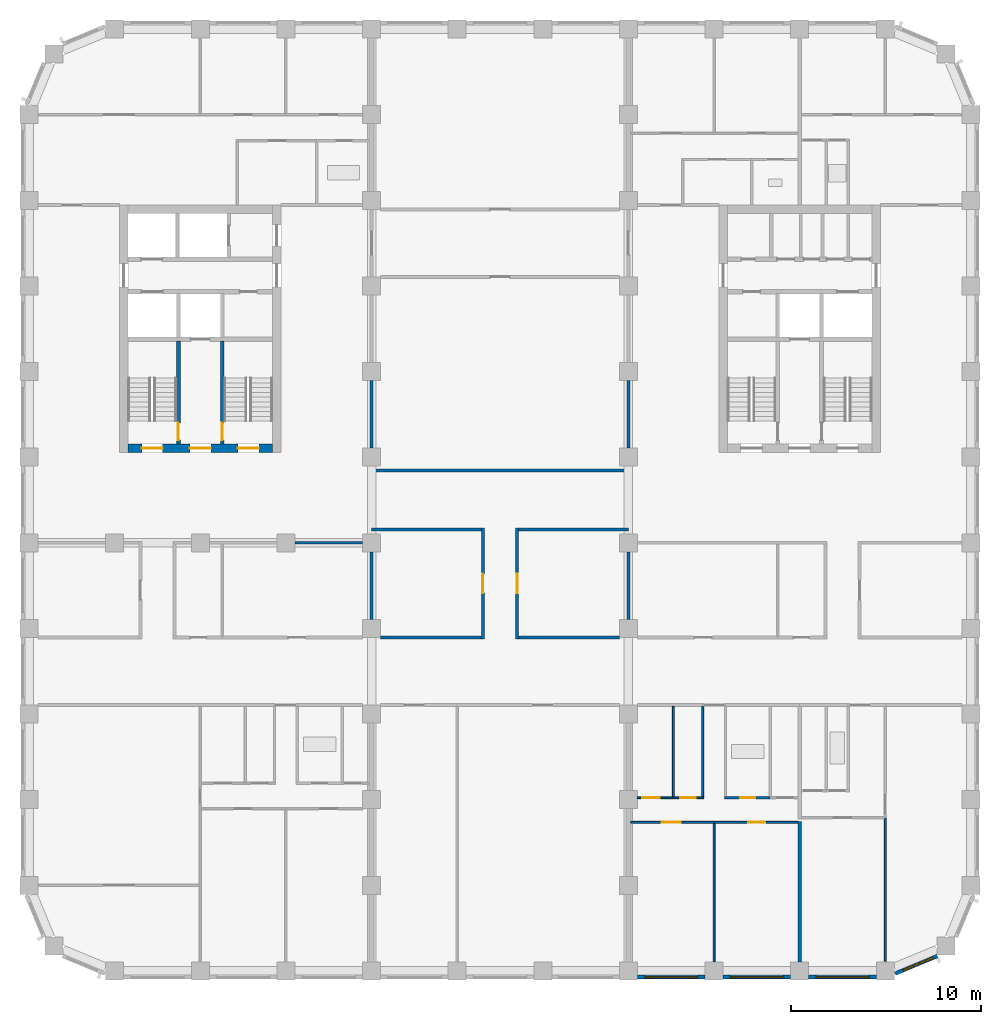
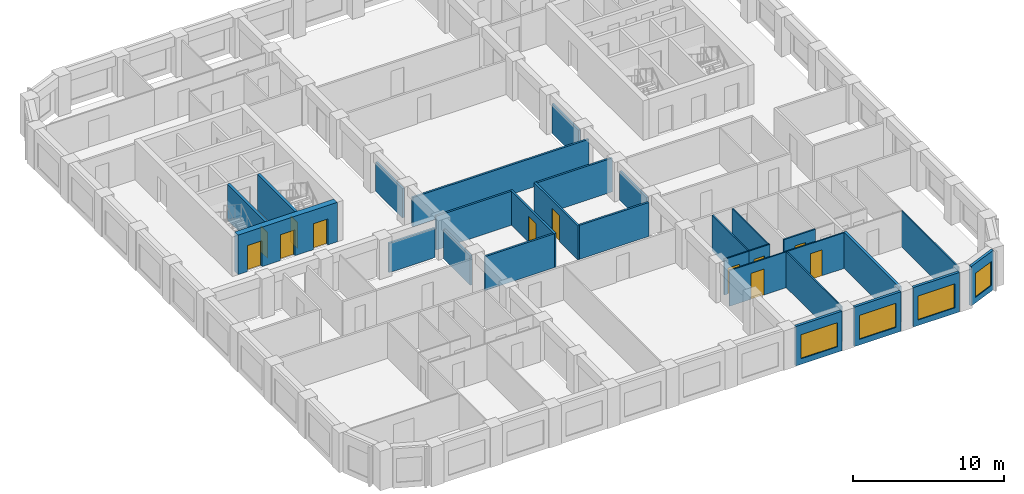
# One storey, part 4 of 12: 29 walls, 12 doors, 4 windows, 16 openings.
"""IFC4 building model written with IfcOpenShell, lengths in metres."""

from ifc_helpers import new_model, si_unit, direction, frame, frame_2d, origin, place, context, subcontext, project, spatial, rectangle, extrude, material, layer, layer_set, type_object, element, fill, save


model = new_model("IFC4")

# Units and contexts
model_context = context("Model", 3, precision=1e-05, world=origin(), true_north=direction((0.0, 1.0)))
body_context = subcontext(model_context, "Body", "Model", "MODEL_VIEW")
ifc_project = project(units=[si_unit("LENGTHUNIT", "METRE"), si_unit("AREAUNIT", "SQUARE_METRE"), si_unit("VOLUMEUNIT", "CUBIC_METRE"), si_unit("PLANEANGLEUNIT", "RADIAN"), si_unit("MASSUNIT", "GRAM", prefix="KILO")], contexts=[model_context])

# Site, building, storey
site_placement = place(None, origin())
site = spatial("IfcSite", under=ifc_project, at=site_placement, CompositionType="ELEMENT")
building_placement = place(site_placement, origin())
building = spatial("IfcBuilding", under=site, at=building_placement, Name="Girih Gate Residences", CompositionType="ELEMENT")
storey_placement = place(building_placement, frame((0.0, 0.0, 143.0)))
storey = spatial("IfcBuildingStorey", under=building, at=storey_placement, Name="L40", CompositionType="ELEMENT", Elevation=143.0)

# Wall, opening, door
ifc_material_1 = material(Name="Gypsum board on steel studs", Category="steel")
ifc_layer_1 = layer(ifc_material_1, 0.14990234375)
ifc_layer_set_1 = layer_set([ifc_layer_1], Name="Compartment wall 150 mm")
wall_type_1 = type_object("IfcWallType", Name="Compartment wall 150 mm", PredefinedType="PARTITIONING", material=ifc_layer_set_1)
wall_1_placement = place(storey_placement, frame((23.85009765625, 17.449951171875, 0.0), z_axis=(0.0, 0.0, 1.0), x_axis=(0.0, 1.0, 0.0)))
wall_1 = element("IfcWall", 1, at=wall_1_placement, inside=storey, type_object=wall_type_1, Name="L40 partition", PredefinedType="PARTITIONING", context=body_context, shape_type="SweptSolid", body=[
    extrude(rectangle(XDim=5.824951171875, YDim=0.14990234375, at=frame_2d((2.91259765625, 0.0))), origin(), (0.0, 0.0, 1.0), 2.75),
])
opening_1_placement = place(wall_1_placement, frame((2.41259765625, 0.0, 0.0)))
opening_1 = element("IfcOpeningElement", 2, at=opening_1_placement, cuts=wall_1, Name="Opening A40-044", PredefinedType="OPENING", context=body_context, shape_type="SweptSolid", body=[
    extrude(rectangle(XDim=1.0, YDim=2.10009765625, at=frame_2d((0.5, 1.050048828125))), frame((0.0, 0.0849609375, 0.0), z_axis=(0.0, -1.0, 0.0), x_axis=(1.0, 0.0, 0.0)), (0.0, 0.0, 1.0), 0.169921875),
])
ifc_material_2 = material(Name="Timber, fire-rated core", Category="wood")
door_type_1 = type_object("IfcDoorType", Name="Amenity room door 1000x2100 FD30S", OperationType="NOTDEFINED", PredefinedType="DOOR", material=ifc_material_2)
door_1_placement = place(opening_1_placement, origin())
door_1 = element("IfcDoor", 3, at=door_1_placement, inside=storey, type_object=door_type_1, Name="Door A40-044", OperationType="SINGLE_SWING_LEFT", OverallHeight=2.10009765625, OverallWidth=1.0, PredefinedType="DOOR", context=body_context, shape_type="SweptSolid", body=[
    extrude(rectangle(XDim=1.0, YDim=2.10009765625, at=frame_2d((0.5, 1.050048828125))), frame((0.0, 0.02490234375, 0.0), z_axis=(0.0, -1.0, 0.0), x_axis=(1.0, 0.0, 0.0)), (0.0, 0.0, 1.0), 0.050048828125),
])
fill(opening_1, door_1)

wall_2_placement = place(storey_placement, frame((25.64990234375, 23.27490234375, 0.0), z_axis=(0.0, 0.0, 1.0), x_axis=(0.0, -1.0, 0.0)))
wall_2 = element("IfcWall", 4, at=wall_2_placement, inside=storey, type_object=wall_type_1, Name="L40 partition", PredefinedType="PARTITIONING", context=body_context, shape_type="SweptSolid", body=[
    extrude(rectangle(XDim=5.824951171875, YDim=0.14990234375, at=frame_2d((2.91259765625, 0.0))), origin(), (0.0, 0.0, 1.0), 2.75),
])
opening_2_placement = place(wall_2_placement, frame((2.41259765625, 0.0, 0.0)))
opening_2 = element("IfcOpeningElement", 5, at=opening_2_placement, cuts=wall_2, Name="Opening A40-045", PredefinedType="OPENING", context=body_context, shape_type="SweptSolid", body=[
    extrude(rectangle(XDim=1.0, YDim=2.10009765625, at=frame_2d((0.5, 1.050048828125))), frame((0.0, 0.0849609375, 0.0), z_axis=(0.0, -1.0, 0.0), x_axis=(1.0, 0.0, 0.0)), (0.0, 0.0, 1.0), 0.169921875),
])
door_2_placement = place(opening_2_placement, origin())
door_2 = element("IfcDoor", 6, at=door_2_placement, inside=storey, type_object=door_type_1, Name="Door A40-045", OperationType="SINGLE_SWING_RIGHT", OverallHeight=2.10009765625, OverallWidth=1.0, PredefinedType="DOOR", context=body_context, shape_type="SweptSolid", body=[
    extrude(rectangle(XDim=1.0, YDim=2.10009765625, at=frame_2d((0.5, 1.050048828125))), frame((0.0, 0.02490234375, 0.0), z_axis=(0.0, -1.0, 0.0), x_axis=(1.0, 0.0, 0.0)), (0.0, 0.0, 1.0), 0.050048828125),
])
fill(opening_2, door_2)

# Walls
for number, where, z_axis, x_axis, name in (
    (7, (18.47509765625, 17.52490234375, 0.0), (0.0, 0.0, 1.0), (1.0, 0.0, 0.0), "L40 partition"),
    (8, (25.72509765625, 17.52490234375, 0.0), (0.0, 0.0, 1.0), (1.0, 0.0, 0.0), "L40 partition"),
):
    element("IfcWall", number, at=place(storey_placement, frame(where, z_axis=z_axis, x_axis=x_axis)), inside=storey, type_object=wall_type_1, Name=name, PredefinedType="PARTITIONING", context=body_context, shape_type="SweptSolid", body=[
        extrude(rectangle(XDim=5.2998046875, YDim=0.14990234375, at=frame_2d((2.64990234375, 0.0))), origin(), (0.0, 0.0, 1.0), 2.75),
    ])
for number, where, z_axis, x_axis, name in (
    (9, (31.5, 27.47509765625, 0.0), (0.0, 0.0, 1.0), (0.0, 1.0, 0.0), "L40 partition"),
    (10, (18.0, 27.47509765625, 0.0), (0.0, 0.0, 1.0), (0.0, 1.0, 0.0), "L40 partition"),
):
    element("IfcWall", number, at=place(storey_placement, frame(where, z_axis=z_axis, x_axis=x_axis)), inside=storey, type_object=wall_type_1, Name=name, PredefinedType="PARTITIONING", context=body_context, shape_type="SweptSolid", body=[
        extrude(rectangle(XDim=3.5498046875, YDim=0.14990234375, at=frame_2d((1.77490234375, 0.0))), origin(), (0.0, 0.0, 1.0), 2.3798828125),
    ])
wall_3_placement = place(storey_placement, frame((18.0, 26.300048828125, 0.0), z_axis=(0.0, 0.0, 1.0), x_axis=(1.0, 0.0, 0.0)))
element("IfcWall", 11, at=wall_3_placement, inside=storey, type_object=wall_type_1, Name="L40 partition", PredefinedType="PARTITIONING", context=body_context, shape_type="SweptSolid", body=[
    extrude(rectangle(XDim=13.5, YDim=0.14990234375, at=frame_2d((6.75, 0.0))), origin(), (0.0, 0.0, 1.0), 2.3798828125),
])
wall_4_placement = place(storey_placement, frame((18.0, 23.199951171875, 0.0), z_axis=(0.0, 0.0, 1.0), x_axis=(1.0, 0.0, 0.0)))
element("IfcWall", 12, at=wall_4_placement, inside=storey, type_object=wall_type_1, Name="L40 partition", PredefinedType="PARTITIONING", context=body_context, shape_type="SweptSolid", body=[
    extrude(rectangle(XDim=5.77490234375, YDim=0.14990234375, at=frame_2d((2.887451171875, 0.0))), origin(), (0.0, 0.0, 1.0), 2.75),
])
wall_5_placement = place(storey_placement, frame((18.0, 18.47509765625, 0.0), z_axis=(0.0, 0.0, 1.0), x_axis=(0.0, 1.0, 0.0)))
element("IfcWall", 13, at=wall_5_placement, inside=storey, type_object=wall_type_1, Name="L40 partition", PredefinedType="PARTITIONING", context=body_context, shape_type="SweptSolid", body=[
    extrude(rectangle(XDim=3.5498046875, YDim=0.14990234375, at=frame_2d((1.77490234375, 0.0))), origin(), (0.0, 0.0, 1.0), 2.3798828125),
])
wall_6_placement = place(storey_placement, frame((25.72509765625, 23.199951171875, 0.0), z_axis=(0.0, 0.0, 1.0), x_axis=(1.0, 0.0, 0.0)))
element("IfcWall", 14, at=wall_6_placement, inside=storey, type_object=wall_type_1, Name="L40 partition", PredefinedType="PARTITIONING", context=body_context, shape_type="SweptSolid", body=[
    extrude(rectangle(XDim=5.77490234375, YDim=0.14990234375, at=frame_2d((2.887451171875, 0.0))), origin(), (0.0, 0.0, 1.0), 2.75),
])
for number, where, z_axis, x_axis, name in (
    (15, (31.5, 18.47509765625, 0.0), (0.0, 0.0, 1.0), (0.0, 1.0, 0.0), "L40 partition"),
    (16, (13.97509765625, 22.5, 0.0), (0.0, 0.0, 1.0), (1.0, 0.0, 0.0), "L40 partition"),
):
    element("IfcWall", number, at=place(storey_placement, frame(where, z_axis=z_axis, x_axis=x_axis)), inside=storey, type_object=wall_type_1, Name=name, PredefinedType="PARTITIONING", context=body_context, shape_type="SweptSolid", body=[
        extrude(rectangle(XDim=3.5498046875, YDim=0.14990234375, at=frame_2d((1.77490234375, 0.0))), origin(), (0.0, 0.0, 1.0), 2.3798828125),
    ])

# Wall, openings, doors
ifc_material_3 = material(Name="Concrete C60/75", Category="concrete")
ifc_layer_2 = layer(ifc_material_3, 0.449951171875)
ifc_layer_set_2 = layer_set([ifc_layer_2], Name="Core wall RC 450 Concrete C60/75")
wall_type_2 = type_object("IfcWallType", Name="Core wall RC 450 Concrete C60/75", PredefinedType="SOLIDWALL", material=ifc_layer_set_2)
wall_7_placement = place(storey_placement, frame((5.199951171875, 27.47509765625, 0.0), z_axis=(0.0, 0.0, 1.0), x_axis=(1.0, 0.0, 0.0)))
wall_7 = element("IfcWall", 17, at=wall_7_placement, inside=storey, type_object=wall_type_2, Name="Core wall W-S L40", PredefinedType="SOLIDWALL", context=body_context, shape_type="SweptSolid", body=[
    extrude(rectangle(XDim=7.60009765625, YDim=0.449951171875, at=frame_2d((3.800048828125, 0.0))), origin(), (0.0, 0.0, 1.0), 3.199951171875),
])
opening_3_placement = place(wall_7_placement, frame((0.72509765625, 0.0, 0.0)))
opening_3 = element("IfcOpeningElement", 18, at=opening_3_placement, cuts=wall_7, Name="Opening D-L40-W-008", PredefinedType="OPENING", context=body_context, shape_type="SweptSolid", body=[
    extrude(rectangle(XDim=1.10009765625, YDim=2.10009765625, at=frame_2d((0.550048828125, 1.050048828125))), frame((0.0, 0.23486328125, 0.0), z_axis=(0.0, -1.0, 0.0), x_axis=(1.0, 0.0, 0.0)), (0.0, 0.0, 1.0), 0.469970703125),
])
opening_4_placement = place(wall_7_placement, frame((3.25, 0.0, 0.0)))
opening_4 = element("IfcOpeningElement", 19, at=opening_4_placement, cuts=wall_7, Name="Opening D-L40-W-009", PredefinedType="OPENING", context=body_context, shape_type="SweptSolid", body=[
    extrude(rectangle(XDim=1.10009765625, YDim=2.10009765625, at=frame_2d((0.550048828125, 1.050048828125))), frame((0.0, 0.23486328125, 0.0), z_axis=(0.0, -1.0, 0.0), x_axis=(1.0, 0.0, 0.0)), (0.0, 0.0, 1.0), 0.469970703125),
])
opening_5_placement = place(wall_7_placement, frame((5.77490234375, 0.0, 0.0)))
opening_5 = element("IfcOpeningElement", 20, at=opening_5_placement, cuts=wall_7, Name="Opening D-L40-W-010", PredefinedType="OPENING", context=body_context, shape_type="SweptSolid", body=[
    extrude(rectangle(XDim=1.10009765625, YDim=2.10009765625, at=frame_2d((0.550048828125, 1.050048828125))), frame((0.0, 0.23486328125, 0.0), z_axis=(0.0, -1.0, 0.0), x_axis=(1.0, 0.0, 0.0)), (0.0, 0.0, 1.0), 0.469970703125),
])
ifc_material_4 = material(Name="Painted steel, fire-resisting", Category="steel")
door_type_2 = type_object("IfcDoorType", Name="Fire door 1100x2100", OperationType="SINGLE_SWING_LEFT", PredefinedType="DOOR", material=ifc_material_4)
door_3_placement = place(opening_3_placement, origin())
door_3 = element("IfcDoor", 21, at=door_3_placement, inside=storey, type_object=door_type_2, Name="L40 W core door sta-out", OperationType="SINGLE_SWING_LEFT", OverallHeight=2.10009765625, OverallWidth=1.10009765625, PredefinedType="DOOR", context=body_context, shape_type="SweptSolid", body=[
    extrude(rectangle(XDim=1.10009765625, YDim=2.10009765625, at=frame_2d((0.550048828125, 1.050048828125))), frame((0.0, 0.02490234375, 0.0), z_axis=(0.0, -1.0, 0.0), x_axis=(1.0, 0.0, 0.0)), (0.0, 0.0, 1.0), 0.050048828125),
])
fill(opening_3, door_3)
door_4_placement = place(opening_4_placement, origin())
door_4 = element("IfcDoor", 22, at=door_4_placement, inside=storey, type_object=door_type_2, Name="L40 W core door ffl-out", OperationType="SINGLE_SWING_LEFT", OverallHeight=2.10009765625, OverallWidth=1.10009765625, PredefinedType="DOOR", context=body_context, shape_type="SweptSolid", body=[
    extrude(rectangle(XDim=1.10009765625, YDim=2.10009765625, at=frame_2d((0.550048828125, 1.050048828125))), frame((0.0, 0.02490234375, 0.0), z_axis=(0.0, -1.0, 0.0), x_axis=(1.0, 0.0, 0.0)), (0.0, 0.0, 1.0), 0.050048828125),
])
fill(opening_4, door_4)
door_5_placement = place(opening_5_placement, origin())
door_5 = element("IfcDoor", 23, at=door_5_placement, inside=storey, type_object=door_type_2, Name="L40 W core door stb-out", OperationType="SINGLE_SWING_LEFT", OverallHeight=2.10009765625, OverallWidth=1.10009765625, PredefinedType="DOOR", context=body_context, shape_type="SweptSolid", body=[
    extrude(rectangle(XDim=1.10009765625, YDim=2.10009765625, at=frame_2d((0.550048828125, 1.050048828125))), frame((0.0, 0.02490234375, 0.0), z_axis=(0.0, -1.0, 0.0), x_axis=(1.0, 0.0, 0.0)), (0.0, 0.0, 1.0), 0.050048828125),
])
fill(opening_5, door_5)

# Wall
ifc_layer_3 = layer(ifc_material_1, 0.10009765625)
ifc_layer_set_3 = layer_set([ifc_layer_3], Name="Partition 100 mm")
wall_type_3 = type_object("IfcWallType", Name="Partition 100 mm", PredefinedType="PARTITIONING", material=ifc_layer_set_3)
wall_8_placement = place(storey_placement, frame((45.0, 0.51416015625, 0.0), z_axis=(0.0, 0.0, 1.0), x_axis=(0.0, 1.0, 0.0)))
element("IfcWall", 24, at=wall_8_placement, inside=storey, type_object=wall_type_3, Name="L40 partition", PredefinedType="PARTITIONING", context=body_context, shape_type="SweptSolid", body=[
    extrude(rectangle(XDim=7.53076171875, YDim=0.10009765625, at=frame_2d((3.765380859375, 0.0))), origin(), (0.0, 0.0, 1.0), 2.89990234375),
])

# Wall, opening, door
wall_9_placement = place(storey_placement, frame((40.39990234375, 7.804931640625, 0.0), z_axis=(0.0, 0.0, 1.0), x_axis=(-1.0, 0.0, 0.0)))
wall_9 = element("IfcWall", 25, at=wall_9_placement, inside=storey, type_object=wall_type_3, Name="L40 partition", PredefinedType="PARTITIONING", context=body_context, shape_type="SweptSolid", body=[
    extrude(rectangle(XDim=4.39990234375, YDim=0.10009765625, at=frame_2d((2.199951171875, 0.0))), origin(), (0.0, 0.0, 1.0), 2.89990234375),
])
opening_6_placement = place(wall_9_placement, frame((1.699951171875, 0.0, 0.0)))
opening_6 = element("IfcOpeningElement", 26, at=opening_6_placement, cuts=wall_9, Name="Opening A40-022", PredefinedType="OPENING", context=body_context, shape_type="SweptSolid", body=[
    extrude(rectangle(XDim=0.89990234375, YDim=2.10009765625, at=frame_2d((0.449951171875, 1.050048828125))), frame((0.0, 0.06005859375, 0.0), z_axis=(0.0, -1.0, 0.0), x_axis=(1.0, 0.0, 0.0)), (0.0, 0.0, 1.0), 0.1201171875),
])
ifc_material_5 = material(Name="Timber", Category="wood")
door_type_3 = type_object("IfcDoorType", Name="Bedroom door 900x2100", OperationType="NOTDEFINED", PredefinedType="DOOR", material=ifc_material_5)
door_6_placement = place(opening_6_placement, origin())
door_6 = element("IfcDoor", 27, at=door_6_placement, inside=storey, type_object=door_type_3, Name="Door A40-022", OperationType="SINGLE_SWING_LEFT", OverallHeight=2.10009765625, OverallWidth=0.89990234375, PredefinedType="DOOR", context=body_context, shape_type="SweptSolid", body=[
    extrude(rectangle(XDim=0.89990234375, YDim=2.10009765625, at=frame_2d((0.449951171875, 1.050048828125))), frame((0.0, 0.02490234375, 0.0), z_axis=(0.0, -1.0, 0.0), x_axis=(1.0, 0.0, 0.0)), (0.0, 0.0, 1.0), 0.050048828125),
])
fill(opening_6, door_6)

# Wall
wall_10_placement = place(storey_placement, frame((36.0, 0.47509765625, 0.0), z_axis=(0.0, 0.0, 1.0), x_axis=(0.0, 1.0, 0.0)))
element("IfcWall", 28, at=wall_10_placement, inside=storey, type_object=wall_type_3, Name="L40 partition", PredefinedType="PARTITIONING", context=body_context, shape_type="SweptSolid", body=[
    extrude(rectangle(XDim=7.27978515625, YDim=0.10009765625, at=frame_2d((3.639892578125, 0.0))), origin(), (0.0, 0.0, 1.0), 2.89990234375),
])

# Wall, opening, door
wall_11_placement = place(storey_placement, frame((31.97509765625, 9.10498046875, 0.0), z_axis=(0.0, 0.0, 1.0), x_axis=(1.0, 0.0, 0.0)))
wall_11 = element("IfcWall", 29, at=wall_11_placement, inside=storey, type_object=wall_type_3, Name="L40 partition", PredefinedType="PARTITIONING", context=body_context, shape_type="SweptSolid", body=[
    extrude(rectangle(XDim=1.889404296875, YDim=0.10009765625, at=frame_2d((0.94482421875, 0.0))), origin(), (0.0, 0.0, 1.0), 2.89990234375),
])
opening_7_placement = place(wall_11_placement, frame((0.257080078125, 0.0, 0.0)))
opening_7 = element("IfcOpeningElement", 30, at=opening_7_placement, cuts=wall_11, Name="Opening A40-023", PredefinedType="OPENING", context=body_context, shape_type="SweptSolid", body=[
    extrude(rectangle(XDim=0.89990234375, YDim=2.10009765625, at=frame_2d((0.449951171875, 1.050048828125))), frame((0.0, 0.06005859375, 0.0), z_axis=(0.0, -1.0, 0.0), x_axis=(1.0, 0.0, 0.0)), (0.0, 0.0, 1.0), 0.1201171875),
])
door_type_4 = type_object("IfcDoorType", Name="Kitchen door 900x2100", OperationType="NOTDEFINED", PredefinedType="DOOR", material=ifc_material_5)
door_7_placement = place(opening_7_placement, origin())
door_7 = element("IfcDoor", 31, at=door_7_placement, inside=storey, type_object=door_type_4, Name="Door A40-023", OperationType="SINGLE_SWING_LEFT", OverallHeight=2.10009765625, OverallWidth=0.89990234375, PredefinedType="DOOR", context=body_context, shape_type="SweptSolid", body=[
    extrude(rectangle(XDim=0.89990234375, YDim=2.10009765625, at=frame_2d((0.449951171875, 1.050048828125))), frame((0.0, 0.02490234375, 0.0), z_axis=(0.0, -1.0, 0.0), x_axis=(1.0, 0.0, 0.0)), (0.0, 0.0, 1.0), 0.050048828125),
])
fill(opening_7, door_7)

wall_12_placement = place(storey_placement, frame((36.0, 7.804931640625, 0.0), z_axis=(0.0, 0.0, 1.0), x_axis=(-1.0, 0.0, 0.0)))
wall_12 = element("IfcWall", 32, at=wall_12_placement, inside=storey, type_object=wall_type_3, Name="L40 partition", PredefinedType="PARTITIONING", context=body_context, shape_type="SweptSolid", body=[
    extrude(rectangle(XDim=4.375, YDim=0.10009765625, at=frame_2d((2.1875, 0.0))), origin(), (0.0, 0.0, 1.0), 2.89990234375),
])
opening_8_placement = place(wall_12_placement, frame((1.75, 0.0, 0.0)))
opening_8 = element("IfcOpeningElement", 33, at=opening_8_placement, cuts=wall_12, Name="Opening A40-024", PredefinedType="OPENING", context=body_context, shape_type="SweptSolid", body=[
    extrude(rectangle(XDim=1.0, YDim=2.10009765625, at=frame_2d((0.5, 1.050048828125))), frame((0.0, 0.06005859375, 0.0), z_axis=(0.0, -1.0, 0.0), x_axis=(1.0, 0.0, 0.0)), (0.0, 0.0, 1.0), 0.1201171875),
])
door_type_5 = type_object("IfcDoorType", Name="Living room door 1000x2100", OperationType="NOTDEFINED", PredefinedType="DOOR", material=ifc_material_5)
door_8_placement = place(opening_8_placement, origin())
door_8 = element("IfcDoor", 34, at=door_8_placement, inside=storey, type_object=door_type_5, Name="Door A40-024", OperationType="SINGLE_SWING_RIGHT", OverallHeight=2.10009765625, OverallWidth=1.0, PredefinedType="DOOR", context=body_context, shape_type="SweptSolid", body=[
    extrude(rectangle(XDim=1.0, YDim=2.10009765625, at=frame_2d((0.5, 1.050048828125))), frame((0.0, 0.02490234375, 0.0), z_axis=(0.0, -1.0, 0.0), x_axis=(1.0, 0.0, 0.0)), (0.0, 0.0, 1.0), 0.050048828125),
])
fill(opening_8, door_8)

wall_13_placement = place(storey_placement, frame((33.864501953125, 9.10498046875, 0.0), z_axis=(0.0, 0.0, 1.0), x_axis=(1.0, 0.0, 0.0)))
wall_13 = element("IfcWall", 35, at=wall_13_placement, inside=storey, type_object=wall_type_3, Name="L40 partition", PredefinedType="PARTITIONING", context=body_context, shape_type="SweptSolid", body=[
    extrude(rectangle(XDim=1.58544921875, YDim=0.10009765625, at=frame_2d((0.792724609375, 0.0))), origin(), (0.0, 0.0, 1.0), 2.89990234375),
])
opening_9_placement = place(wall_13_placement, frame((0.367919921875, 0.0, 0.0)))
opening_9 = element("IfcOpeningElement", 36, at=opening_9_placement, cuts=wall_13, Name="Opening A40-026", PredefinedType="OPENING", context=body_context, shape_type="SweptSolid", body=[
    extrude(rectangle(XDim=0.800048828125, YDim=2.10009765625, at=frame_2d((0.39990234375, 1.050048828125))), frame((0.0, 0.06005859375, 0.0), z_axis=(0.0, -1.0, 0.0), x_axis=(1.0, 0.0, 0.0)), (0.0, 0.0, 1.0), 0.1201171875),
])
door_type_6 = type_object("IfcDoorType", Name="Store door 800x2100", OperationType="NOTDEFINED", PredefinedType="DOOR", material=ifc_material_5)
door_9_placement = place(opening_9_placement, origin())
door_9 = element("IfcDoor", 37, at=door_9_placement, inside=storey, type_object=door_type_6, Name="Door A40-026", OperationType="SINGLE_SWING_LEFT", OverallHeight=2.10009765625, OverallWidth=0.800048828125, PredefinedType="DOOR", context=body_context, shape_type="SweptSolid", body=[
    extrude(rectangle(XDim=0.800048828125, YDim=2.10009765625, at=frame_2d((0.39990234375, 1.050048828125))), frame((0.0, 0.02490234375, 0.0), z_axis=(0.0, -1.0, 0.0), x_axis=(1.0, 0.0, 0.0)), (0.0, 0.0, 1.0), 0.050048828125),
])
fill(opening_9, door_9)

# Walls
for number, where, z_axis, x_axis, name in (
    (38, (35.39990234375, 9.155029296875, 0.0), (0.0, 0.0, 1.0), (0.0, 1.0, 0.0), "L40 partition"),
    (39, (33.864013671875, 9.155029296875, 0.0), (0.0, 0.0, 1.0), (0.0, 1.0, 0.0), "L40 partition"),
):
    element("IfcWall", number, at=place(storey_placement, frame(where, z_axis=z_axis, x_axis=x_axis)), inside=storey, type_object=wall_type_3, Name=name, PredefinedType="PARTITIONING", context=body_context, shape_type="SweptSolid", body=[
        extrude(rectangle(XDim=4.744873046875, YDim=0.10009765625, at=frame_2d((2.37255859375, 0.0))), origin(), (0.0, 0.0, 1.0), 2.89990234375),
    ])
ifc_layer_4 = layer(ifc_material_1, 0.199951171875)
ifc_layer_set_4 = layer_set([ifc_layer_4], Name="Party wall 200 mm")
wall_type_4 = type_object("IfcWallType", Name="Party wall 200 mm", PredefinedType="PARTITIONING", material=ifc_layer_set_4)
wall_14_placement = place(storey_placement, frame((40.5, 0.47509765625, 0.0), z_axis=(0.0, 0.0, 1.0), x_axis=(0.0, 1.0, 0.0)))
element("IfcWall", 40, at=wall_14_placement, inside=storey, type_object=wall_type_4, Name="L40 partition", PredefinedType="PARTITIONING", context=body_context, shape_type="SweptSolid", body=[
    extrude(rectangle(XDim=7.3798828125, YDim=0.199951171875, at=frame_2d((3.68994140625, 0.0))), origin(), (0.0, 0.0, 1.0), 2.89990234375),
])

# Wall, opening, window
ifc_material_6 = material(Name="Precast concrete C50/60", Category="concrete")
ifc_layer_5 = layer(ifc_material_6, 0.06005859375, Name="Outer leaf")
ifc_material_7 = material(Name="Rigid PIR insulation")
ifc_layer_6 = layer(ifc_material_7, 0.090087890625, Name="Insulation")
ifc_material_8 = material(Name="Precast concrete C40/50", Category="concrete")
ifc_layer_7 = layer(ifc_material_8, 0.050048828125, Name="Inner leaf")
ifc_layer_set_5 = layer_set([ifc_layer_5, ifc_layer_6, ifc_layer_7], Name="Precast concrete C50/60 external wall 200")
wall_type_5 = type_object("IfcWallType", Name="Precast concrete C50/60 external wall 200", PredefinedType="SOLIDWALL", material=ifc_layer_set_5)
wall_15_placement = place(storey_placement, frame((35.52490234375, -0.324951171875, 0.0), z_axis=(0.0, 0.0, 1.0), x_axis=(-1.0, 0.0, 0.0)))
wall_15 = element("IfcWall", 41, at=wall_15_placement, inside=storey, type_object=wall_type_5, Name="External wall S0045_0000.6", PredefinedType="SOLIDWALL", context=body_context, shape_type="SweptSolid", body=[
    extrude(rectangle(XDim=3.5498046875, YDim=0.199951171875, at=frame_2d((1.77490234375, 0.0))), origin(), (0.0, 0.0, 1.0), 3.199951171875),
])
opening_10_placement = place(wall_15_placement, frame((0.375, 0.0, 0.449951171875)))
opening_10 = element("IfcOpeningElement", 42, at=opening_10_placement, cuts=wall_15, Name="Opening W-1B", PredefinedType="OPENING", context=body_context, shape_type="SweptSolid", body=[
    extrude(rectangle(XDim=2.800048828125, YDim=1.949951171875, at=frame_2d((1.39990234375, 0.97509765625))), frame((0.0, 0.10986328125, 0.0), z_axis=(0.0, -1.0, 0.0), x_axis=(1.0, 0.0, 0.0)), (0.0, 0.0, 1.0), 0.219970703125),
])
ifc_material_9 = material(Name="Double glazing in aluminium frame", Category="aluminium")
window_type_1 = type_object("IfcWindowType", Name="Window W-1B 2800x1950", PartitioningType="SINGLE_PANEL", PredefinedType="WINDOW", material=ifc_material_9)
window_1_placement = place(opening_10_placement, origin())
window_1 = element("IfcWindow", 43, at=window_1_placement, inside=storey, type_object=window_type_1, Name="Window W-1B S0045_0000.6", OverallHeight=1.949951171875, OverallWidth=2.800048828125, PartitioningType="SINGLE_PANEL", PredefinedType="WINDOW", context=body_context, shape_type="SweptSolid", body=[
    extrude(rectangle(XDim=2.800048828125, YDim=1.949951171875, at=frame_2d((1.39990234375, 0.97509765625))), frame((0.0, 0.030029296875, 0.0), z_axis=(0.0, -1.0, 0.0), x_axis=(1.0, 0.0, 0.0)), (0.0, 0.0, 1.0), 0.06005859375),
])
fill(opening_10, window_1)

wall_16_placement = place(storey_placement, frame((40.02490234375, -0.324951171875, 0.0), z_axis=(0.0, 0.0, 1.0), x_axis=(-1.0, 0.0, 0.0)))
wall_16 = element("IfcWall", 44, at=wall_16_placement, inside=storey, type_object=wall_type_5, Name="External wall S0045_0000.7", PredefinedType="SOLIDWALL", context=body_context, shape_type="SweptSolid", body=[
    extrude(rectangle(XDim=3.5498046875, YDim=0.199951171875, at=frame_2d((1.77490234375, 0.0))), origin(), (0.0, 0.0, 1.0), 3.199951171875),
])
opening_11_placement = place(wall_16_placement, frame((0.375, 0.0, 0.449951171875)))
opening_11 = element("IfcOpeningElement", 45, at=opening_11_placement, cuts=wall_16, Name="Opening W-1B", PredefinedType="OPENING", context=body_context, shape_type="SweptSolid", body=[
    extrude(rectangle(XDim=2.800048828125, YDim=1.949951171875, at=frame_2d((1.39990234375, 0.97509765625))), frame((0.0, 0.10986328125, 0.0), z_axis=(0.0, -1.0, 0.0), x_axis=(1.0, 0.0, 0.0)), (0.0, 0.0, 1.0), 0.219970703125),
])
window_2_placement = place(opening_11_placement, origin())
window_2 = element("IfcWindow", 46, at=window_2_placement, inside=storey, type_object=window_type_1, Name="Window W-1B S0045_0000.7", OverallHeight=1.949951171875, OverallWidth=2.800048828125, PartitioningType="SINGLE_PANEL", PredefinedType="WINDOW", context=body_context, shape_type="SweptSolid", body=[
    extrude(rectangle(XDim=2.800048828125, YDim=1.949951171875, at=frame_2d((1.39990234375, 0.97509765625))), frame((0.0, 0.030029296875, 0.0), z_axis=(0.0, -1.0, 0.0), x_axis=(1.0, 0.0, 0.0)), (0.0, 0.0, 1.0), 0.06005859375),
])
fill(opening_11, window_2)

wall_17_placement = place(storey_placement, frame((44.52490234375, -0.324951171875, 0.0), z_axis=(0.0, 0.0, 1.0), x_axis=(-1.0, 0.0, 0.0)))
wall_17 = element("IfcWall", 47, at=wall_17_placement, inside=storey, type_object=wall_type_5, Name="External wall S0045_0000.8", PredefinedType="SOLIDWALL", context=body_context, shape_type="SweptSolid", body=[
    extrude(rectangle(XDim=3.5498046875, YDim=0.199951171875, at=frame_2d((1.77490234375, 0.0))), origin(), (0.0, 0.0, 1.0), 3.199951171875),
])
opening_12_placement = place(wall_17_placement, frame((0.375, 0.0, 0.449951171875)))
opening_12 = element("IfcOpeningElement", 48, at=opening_12_placement, cuts=wall_17, Name="Opening W-1B", PredefinedType="OPENING", context=body_context, shape_type="SweptSolid", body=[
    extrude(rectangle(XDim=2.800048828125, YDim=1.949951171875, at=frame_2d((1.39990234375, 0.97509765625))), frame((0.0, 0.10986328125, 0.0), z_axis=(0.0, -1.0, 0.0), x_axis=(1.0, 0.0, 0.0)), (0.0, 0.0, 1.0), 0.219970703125),
])
window_3_placement = place(opening_12_placement, origin())
window_3 = element("IfcWindow", 49, at=window_3_placement, inside=storey, type_object=window_type_1, Name="Window W-1B S0045_0000.8", OverallHeight=1.949951171875, OverallWidth=2.800048828125, PartitioningType="SINGLE_PANEL", PredefinedType="WINDOW", context=body_context, shape_type="SweptSolid", body=[
    extrude(rectangle(XDim=2.800048828125, YDim=1.949951171875, at=frame_2d((1.39990234375, 0.97509765625))), frame((0.0, 0.030029296875, 0.0), z_axis=(0.0, -1.0, 0.0), x_axis=(1.0, 0.0, 0.0)), (0.0, 0.0, 1.0), 0.06005859375),
])
fill(opening_12, window_3)

wall_18_placement = place(storey_placement, frame((47.73291015625, 0.7802734375, 0.0), z_axis=(0.0, 0.0, 1.0), x_axis=(-0.923880599843, -0.382680855588, 0.0)))
wall_18 = element("IfcWall", 50, at=wall_18_placement, inside=storey, type_object=wall_type_5, Name="External wall SE0450_0000.0", PredefinedType="SOLIDWALL", context=body_context, shape_type="SweptSolid", body=[
    extrude(rectangle(XDim=2.402587890625, YDim=0.199951171875, at=frame_2d((1.201171875, 0.0))), origin(), (0.0, 0.0, 1.0), 3.199951171875),
])
opening_13_placement = place(wall_18_placement, frame((0.25146484375, 0.0, 0.449951171875)))
opening_13 = element("IfcOpeningElement", 51, at=opening_13_placement, cuts=wall_18, Name="Opening W-2E", PredefinedType="OPENING", context=body_context, shape_type="SweptSolid", body=[
    extrude(rectangle(XDim=1.699951171875, YDim=1.949951171875, at=frame_2d((0.85009765625, 0.97509765625))), frame((0.0, 0.10986328125, 0.0), z_axis=(0.0, -1.0, 0.0), x_axis=(1.0, 0.0, 0.0)), (0.0, 0.0, 1.0), 0.219970703125),
])
window_type_2 = type_object("IfcWindowType", Name="Window W-2E 1700x1950", PartitioningType="SINGLE_PANEL", PredefinedType="WINDOW", material=ifc_material_9)
window_4_placement = place(opening_13_placement, origin())
window_4 = element("IfcWindow", 52, at=window_4_placement, inside=storey, type_object=window_type_2, Name="Window W-2E SE0450_0000.0", OverallHeight=1.949951171875, OverallWidth=1.699951171875, PartitioningType="SINGLE_PANEL", PredefinedType="WINDOW", context=body_context, shape_type="SweptSolid", body=[
    extrude(rectangle(XDim=1.699951171875, YDim=1.949951171875, at=frame_2d((0.85009765625, 0.97509765625))), frame((0.0, 0.030029296875, 0.0), z_axis=(0.0, -1.0, 0.0), x_axis=(1.0, 0.0, 0.0)), (0.0, 0.0, 1.0), 0.06005859375),
])
fill(opening_13, window_4)

# Wall, opening, door
ifc_material_10 = material(Name="Concrete C40/50", Category="concrete")
ifc_layer_8 = layer(ifc_material_10, 0.199951171875)
ifc_layer_set_6 = layer_set([ifc_layer_8], Name="Shaft wall 200")
wall_type_6 = type_object("IfcWallType", Name="Shaft wall 200", PredefinedType="SOLIDWALL", material=ifc_layer_set_6)
wall_19_placement = place(storey_placement, frame((7.85009765625, 27.699951171875, 0.0), z_axis=(0.0, 0.0, 1.0), x_axis=(0.0, 1.0, 0.0)))
wall_19 = element("IfcWall", 53, at=wall_19_placement, inside=storey, type_object=wall_type_6, Name="L40 W core wall V1a", PredefinedType="SOLIDWALL", context=body_context, shape_type="SweptSolid", body=[
    extrude(rectangle(XDim=5.400146484375, YDim=0.199951171875, at=frame_2d((2.7001953125, 0.0))), origin(), (0.0, 0.0, 1.0), 2.89990234375),
])
opening_14_placement = place(wall_19_placement, frame((0.199951171875, 0.0, 0.0)))
opening_14 = element("IfcOpeningElement", 54, at=opening_14_placement, cuts=wall_19, Name="Opening D-L40-W-001", PredefinedType="OPENING", context=body_context, shape_type="SweptSolid", body=[
    extrude(rectangle(XDim=0.89990234375, YDim=2.10009765625, at=frame_2d((0.449951171875, 1.050048828125))), frame((0.0, 0.10986328125, 0.0), z_axis=(0.0, -1.0, 0.0), x_axis=(1.0, 0.0, 0.0)), (0.0, 0.0, 1.0), 0.219970703125),
])
door_type_7 = type_object("IfcDoorType", Name="Fire door 900x2100", OperationType="SINGLE_SWING_LEFT", PredefinedType="DOOR", material=ifc_material_4)
door_10_placement = place(opening_14_placement, origin())
door_10 = element("IfcDoor", 55, at=door_10_placement, inside=storey, type_object=door_type_7, Name="L40 W door stair 1 to firefighting lobby", OperationType="SINGLE_SWING_LEFT", OverallHeight=2.10009765625, OverallWidth=0.89990234375, PredefinedType="DOOR", context=body_context, shape_type="SweptSolid", body=[
    extrude(rectangle(XDim=0.89990234375, YDim=2.10009765625, at=frame_2d((0.449951171875, 1.050048828125))), frame((0.0, 0.02490234375, 0.0), z_axis=(0.0, -1.0, 0.0), x_axis=(1.0, 0.0, 0.0)), (0.0, 0.0, 1.0), 0.050048828125),
])
fill(opening_14, door_10)

wall_20_placement = place(storey_placement, frame((10.14990234375, 27.699951171875, 0.0), z_axis=(0.0, 0.0, 1.0), x_axis=(0.0, 1.0, 0.0)))
wall_20 = element("IfcWall", 56, at=wall_20_placement, inside=storey, type_object=wall_type_6, Name="L40 W core wall V2a", PredefinedType="SOLIDWALL", context=body_context, shape_type="SweptSolid", body=[
    extrude(rectangle(XDim=5.400146484375, YDim=0.199951171875, at=frame_2d((2.7001953125, 0.0))), origin(), (0.0, 0.0, 1.0), 2.89990234375),
])
opening_15_placement = place(wall_20_placement, frame((0.199951171875, 0.0, 0.0)))
opening_15 = element("IfcOpeningElement", 57, at=opening_15_placement, cuts=wall_20, Name="Opening D-L40-W-002", PredefinedType="OPENING", context=body_context, shape_type="SweptSolid", body=[
    extrude(rectangle(XDim=0.89990234375, YDim=2.10009765625, at=frame_2d((0.449951171875, 1.050048828125))), frame((0.0, 0.10986328125, 0.0), z_axis=(0.0, -1.0, 0.0), x_axis=(1.0, 0.0, 0.0)), (0.0, 0.0, 1.0), 0.219970703125),
])
door_11_placement = place(opening_15_placement, origin())
door_11 = element("IfcDoor", 58, at=door_11_placement, inside=storey, type_object=door_type_7, Name="L40 W door stair 2 to firefighting lobby", OperationType="SINGLE_SWING_LEFT", OverallHeight=2.10009765625, OverallWidth=0.89990234375, PredefinedType="DOOR", context=body_context, shape_type="SweptSolid", body=[
    extrude(rectangle(XDim=0.89990234375, YDim=2.10009765625, at=frame_2d((0.449951171875, 1.050048828125))), frame((0.0, 0.02490234375, 0.0), z_axis=(0.0, -1.0, 0.0), x_axis=(1.0, 0.0, 0.0)), (0.0, 0.0, 1.0), 0.050048828125),
])
fill(opening_15, door_11)

ifc_layer_9 = layer(ifc_material_1, 0.125)
ifc_layer_set_7 = layer_set([ifc_layer_9], Name="Wet room wall 125 mm")
wall_type_7 = type_object("IfcWallType", Name="Wet room wall 125 mm", PredefinedType="PARTITIONING", material=ifc_layer_set_7)
wall_21_placement = place(storey_placement, frame((36.53759765625, 9.10498046875, 0.0), z_axis=(0.0, 0.0, 1.0), x_axis=(1.0, 0.0, 0.0)))
wall_21 = element("IfcWall", 59, at=wall_21_placement, inside=storey, type_object=wall_type_7, Name="L40 partition", PredefinedType="PARTITIONING", context=body_context, shape_type="SweptSolid", body=[
    extrude(rectangle(XDim=2.408935546875, YDim=0.125, at=frame_2d((1.20458984375, 0.0))), origin(), (0.0, 0.0, 1.0), 2.89990234375),
])
opening_16_placement = place(wall_21_placement, frame((0.835693359375, 0.0, 0.0)))
opening_16 = element("IfcOpeningElement", 60, at=opening_16_placement, cuts=wall_21, Name="Opening A40-021", PredefinedType="OPENING", context=body_context, shape_type="SweptSolid", body=[
    extrude(rectangle(XDim=0.800048828125, YDim=2.10009765625, at=frame_2d((0.39990234375, 1.050048828125))), frame((0.0, 0.072509765625, 0.0), z_axis=(0.0, -1.0, 0.0), x_axis=(1.0, 0.0, 0.0)), (0.0, 0.0, 1.0), 0.14501953125),
])
door_type_8 = type_object("IfcDoorType", Name="Bathroom door 800x2100", OperationType="NOTDEFINED", PredefinedType="DOOR", material=ifc_material_5)
door_12_placement = place(opening_16_placement, origin())
door_12 = element("IfcDoor", 61, at=door_12_placement, inside=storey, type_object=door_type_8, Name="Door A40-021", OperationType="SINGLE_SWING_RIGHT", OverallHeight=2.10009765625, OverallWidth=0.800048828125, PredefinedType="DOOR", context=body_context, shape_type="SweptSolid", body=[
    extrude(rectangle(XDim=0.800048828125, YDim=2.10009765625, at=frame_2d((0.39990234375, 1.050048828125))), frame((0.0, 0.02490234375, 0.0), z_axis=(0.0, -1.0, 0.0), x_axis=(1.0, 0.0, 0.0)), (0.0, 0.0, 1.0), 0.050048828125),
])
fill(opening_16, door_12)

save(model, "model.ifc")
